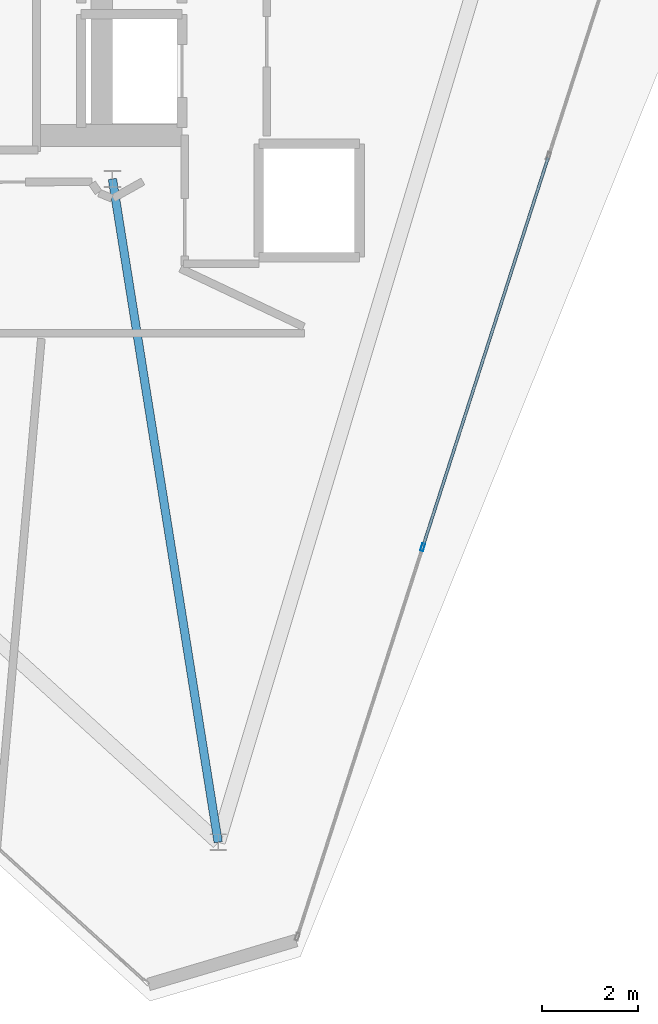
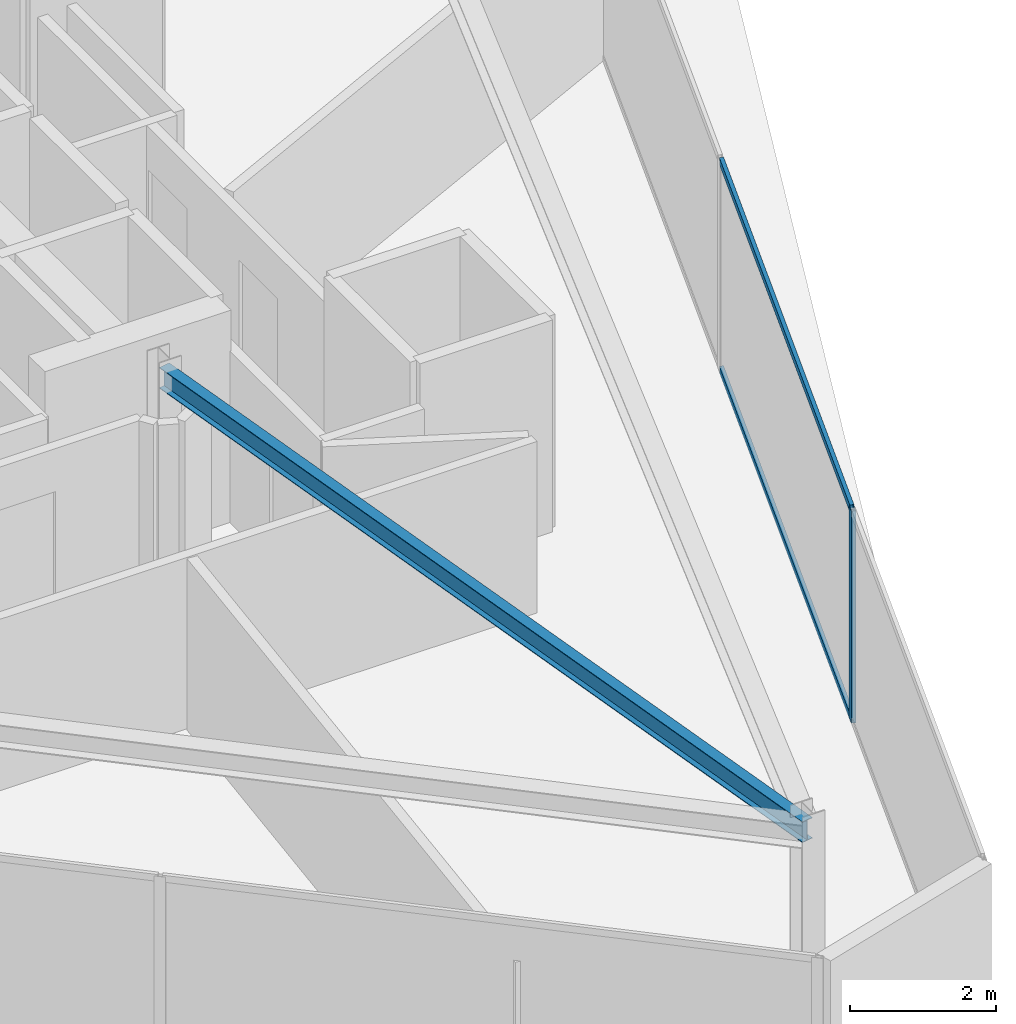
# One storey, part 6 of 14: 3 members, 1 beam, 1 element without a shape of its own.
"""IFC4 building model written with IfcOpenShell, lengths in metres."""

from ifc_helpers import new_model, si_unit, direction, frame, origin, origin_2d, place, context, subcontext, project, spatial, hollow_rectangle, i_section, extrude, material, layer, layer_set, material_profile, profile_set, type_object, element, aggregate, save


model = new_model("IFC4")

# Units and contexts
model_context = context("Model", 3, precision=1e-05, world=origin(), true_north=direction((0.0, 1.0)))
body_context = subcontext(model_context, "Body", "Model", "MODEL_VIEW")
ifc_project = project(units=[si_unit("LENGTHUNIT", "METRE"), si_unit("AREAUNIT", "SQUARE_METRE"), si_unit("VOLUMEUNIT", "CUBIC_METRE"), si_unit("PLANEANGLEUNIT", "RADIAN"), si_unit("MASSUNIT", "GRAM", prefix="KILO")], contexts=[model_context])

# Site, building, storey
site_placement = place(None, origin())
site = spatial("IfcSite", under=ifc_project, at=site_placement, CompositionType="ELEMENT")
building_placement = place(site_placement, origin())
building = spatial("IfcBuilding", under=site, at=building_placement, Name="Qianvela Tower", CompositionType="ELEMENT")
storey_placement = place(building_placement, frame((0.0, 0.0, 356.300048828125)))
storey = spatial("IfcBuildingStorey", under=building, at=storey_placement, Name="L92", CompositionType="ELEMENT", Elevation=356.300048828125)

# Beam
ifc_material_1 = material(Name="Steel Q355B", Category="steel")
ifc_material_profile_1 = material_profile(ifc_material_1, i_section(OverallWidth=0.175048828125, OverallDepth=0.35009765625, WebThickness=0.007080078125, FlangeThickness=0.010986328125, at=origin_2d()), Name="HN350x175x7x11")
ifc_profile_set_1 = profile_set([ifc_material_profile_1], Name="Steel Q355B")
beam_type = type_object("IfcBeamType", Name="BM-HN350-JOIST", PredefinedType="JOIST", material=ifc_profile_set_1)
beam_placement = place(storey_placement, frame((38.39990234375, 23.85009765625, 3.373046875), z_axis=(0.157462605368, -0.987524950526, 0.0), x_axis=(0.987524950526, 0.157462605368, 0.0)))
element("IfcBeam", 1, at=beam_placement, inside=storey, type_object=beam_type, Name="L92 Crown Radial Floor Girder 2", PredefinedType="JOIST", context=body_context, shape_type="SweptSolid", body=[
    extrude(i_section(OverallWidth=0.175048828125, OverallDepth=0.35009765625, WebThickness=0.007080078125, FlangeThickness=0.010986328125, at=origin_2d()), origin(), (0.0, 0.0, 1.0), 13.99755859375),
])

# Curtain wall, members
ifc_material_2 = material(Name="Anodised Architectural Aluminium and Low-E Glass", Category="aluminium")
ifc_layer = layer(ifc_material_2, 0.159912109375)
ifc_layer_set = layer_set([ifc_layer], Name="Anodised Architectural Aluminium and Low-E Glass")
curtain_wall_type = type_object("IfcCurtainWallType", Name="CW-CROWN", PredefinedType="USERDEFINED", material=ifc_layer_set)
curtain_wall_placement = place(storey_placement, origin())
curtain_wall = element("IfcCurtainWall", 2, at=curtain_wall_placement, inside=storey, type_object=curtain_wall_type, Name="L92 CW-CROWN Curtain Wall 06", ObjectType="CURTAIN_WALL_SYSTEM", PredefinedType="USERDEFINED")
ifc_material_3 = material(Name="Anodised Architectural Aluminium 6063-T6", Category="aluminium")
ifc_material_profile_2 = material_profile(ifc_material_3, hollow_rectangle(XDim=0.06494140625, YDim=0.159912109375, WallThickness=0.0048828125, at=origin_2d()), Name="ALU-MULL-65x160")
ifc_profile_set_2 = profile_set([ifc_material_profile_2], Name="Anodised Architectural Aluminium 6063-T6")
member_type_1 = type_object("IfcMemberType", Name="CW-CROWN-MULL", PredefinedType="MULLION", material=ifc_profile_set_2)
member_1_placement = place(storey_placement, frame((44.866943359375, 16.17529296875, 0.0), z_axis=(0.0, 0.0, 1.0), x_axis=(-0.951894457902, 0.306426077572, 0.0)))
member_1 = element("IfcMember", 3, at=member_1_placement, type_object=member_type_1, Name="CW-8 mullion 2", PredefinedType="MULLION", context=body_context, shape_type="SweptSolid", body=[
    extrude(hollow_rectangle(XDim=0.06494140625, YDim=0.159912109375, WallThickness=0.0048828125, at=origin_2d()), origin(), (0.0, 0.0, 1.0), 3.550048828125),
])
ifc_material_4 = material(Name="Anodised Architectural Aluminium 6063-T6", Category="aluminium")
ifc_material_profile_3 = material_profile(ifc_material_4, hollow_rectangle(XDim=0.06005859375, YDim=0.114990234375, WallThickness=0.00390625, at=origin_2d()), Name="ALU-TRAN-60x115")
ifc_profile_set_3 = profile_set([ifc_material_profile_3], Name="Anodised Architectural Aluminium 6063-T6")
member_type_2 = type_object("IfcMemberType", Name="CW-CROWN-TRAN", PredefinedType="USERDEFINED", material=ifc_profile_set_3)
member_2_placement = place(storey_placement, frame((44.876708984375, 16.206298828125, 0.030029296875), z_axis=(0.306444438398, 0.951888547139, 0.0), x_axis=(-0.951888547139, 0.306444438398, 0.0)))
member_2 = element("IfcMember", 4, at=member_2_placement, type_object=member_type_2, Name="CW-8 transom 2.1", ObjectType="TRANSOM", PredefinedType="USERDEFINED", context=body_context, shape_type="SweptSolid", body=[
    extrude(hollow_rectangle(XDim=0.06005859375, YDim=0.114990234375, WallThickness=0.00390625, at=origin_2d()), origin(), (0.0, 0.0, 1.0), 8.49658203125),
])
member_3_placement = place(storey_placement, frame((44.876708984375, 16.206298828125, 3.52001953125), z_axis=(0.306444438398, 0.951888547139, 0.0), x_axis=(-0.951888547139, 0.306444438398, 0.0)))
member_3 = element("IfcMember", 5, at=member_3_placement, type_object=member_type_2, Name="CW-8 transom 2.2", ObjectType="TRANSOM", PredefinedType="USERDEFINED", context=body_context, shape_type="SweptSolid", body=[
    extrude(hollow_rectangle(XDim=0.06005859375, YDim=0.114990234375, WallThickness=0.00390625, at=origin_2d()), origin(), (0.0, 0.0, 1.0), 8.49658203125),
])
aggregate(curtain_wall, [member_1, member_2, member_3])

save(model, "model.ifc")
